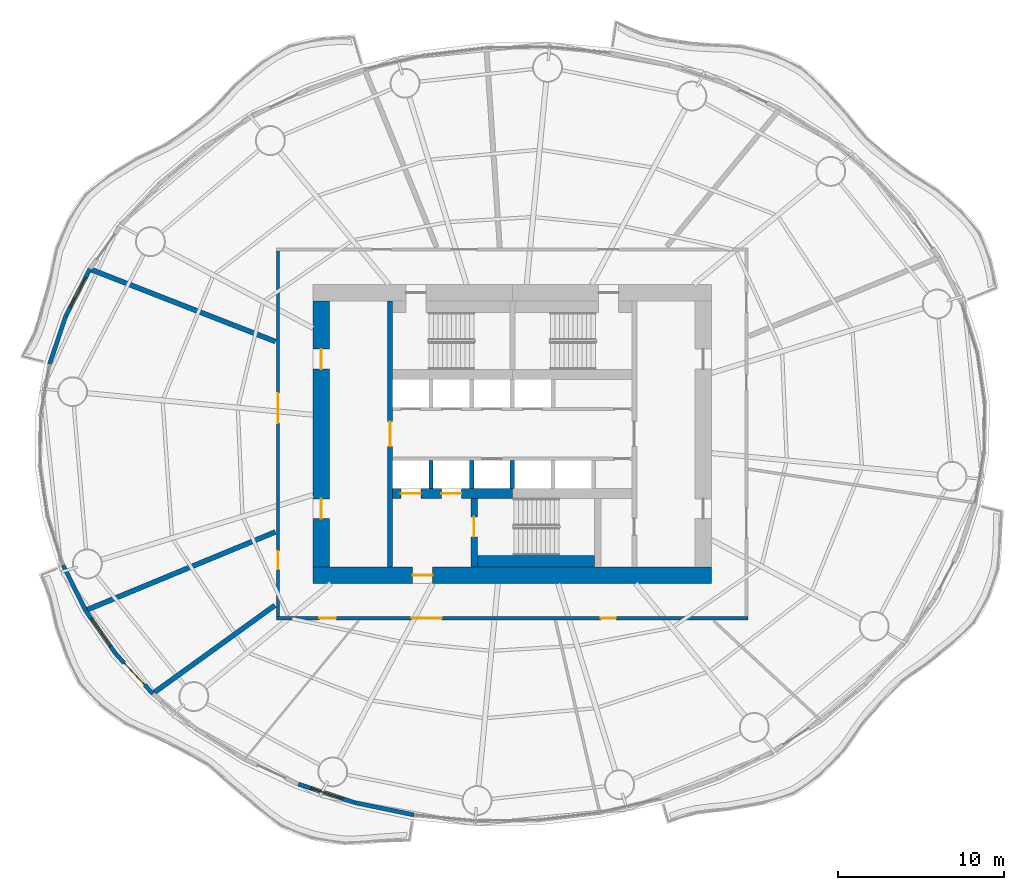
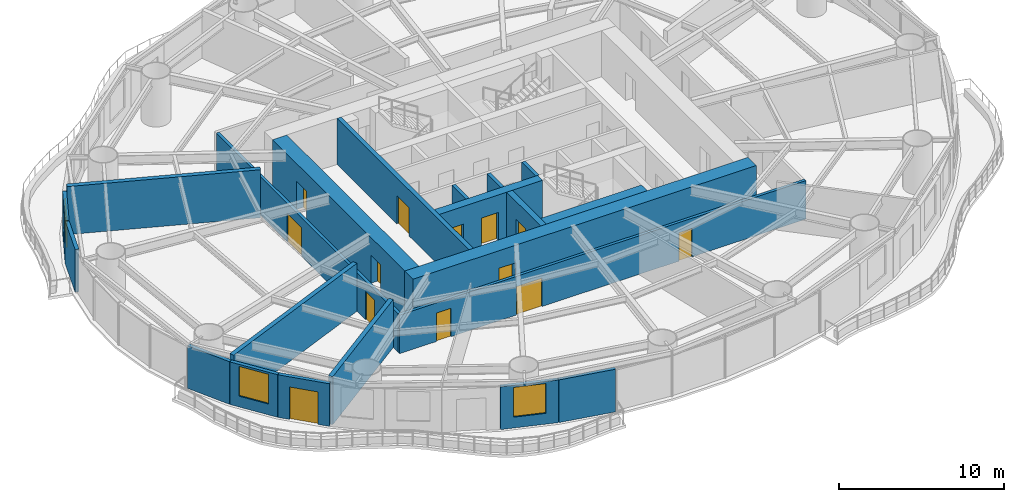
# One storey, part 8 of 16: 21 walls, 13 doors, 3 windows, 16 openings.
"""IFC4 building model written with IfcOpenShell, lengths in metres."""

from ifc_helpers import new_model, si_unit, direction, frame, frame_2d, origin, place, context, subcontext, project, spatial, rectangle, extrude, material, layer, layer_set, type_object, element, fill, save


model = new_model("IFC4")

# Units and contexts
model_context = context("Model", 3, precision=1e-05, world=origin(), true_north=direction((0.0, 1.0)))
body_context = subcontext(model_context, "Body", "Model", "MODEL_VIEW")
ifc_project = project(units=[si_unit("LENGTHUNIT", "METRE"), si_unit("AREAUNIT", "SQUARE_METRE"), si_unit("VOLUMEUNIT", "CUBIC_METRE"), si_unit("PLANEANGLEUNIT", "RADIAN"), si_unit("MASSUNIT", "GRAM", prefix="KILO")], contexts=[model_context])

# Site, building, storey
site_placement = place(None, origin())
site = spatial("IfcSite", under=ifc_project, at=site_placement, CompositionType="ELEMENT")
building_placement = place(site_placement, origin())
building = spatial("IfcBuilding", under=site, at=building_placement, Name="Vermilion Reach Broadcast Tower", CompositionType="ELEMENT")
storey_placement = place(building_placement, frame((0.0, 0.0, 50.800048828125)))
storey = spatial("IfcBuildingStorey", under=building, at=storey_placement, Name="L09", CompositionType="ELEMENT", Elevation=50.800048828125)

# Wall, opening, door
ifc_material_1 = material(Name="Concrete C70", Category="concrete")
ifc_layer_1 = layer(ifc_material_1, 0.300048828125)
ifc_layer_set_1 = layer_set([ifc_layer_1], Name="Core inner wall 300 mm Concrete C70")
wall_type_1 = type_object("IfcWallType", Name="Core inner wall 300 mm Concrete C70", PredefinedType="SHEAR", material=ifc_layer_set_1)
wall_1_placement = place(storey_placement, frame((-13.35009765625, 8.0, 0.0), z_axis=(0.0, 0.0, 1.0), x_axis=(0.0, -1.0, 0.0)))
wall_1 = element("IfcWall", 1, at=wall_1_placement, inside=storey, type_object=wall_type_1, Name="L09 core wall ewW", PredefinedType="SHEAR", context=body_context, shape_type="SweptSolid", body=[
    extrude(rectangle(XDim=16.0, YDim=0.300048828125, at=frame_2d((8.0, 0.0))), origin(), (0.0, 0.0, 1.0), 3.39990234375),
])
opening_1_placement = place(wall_1_placement, frame((7.25, 0.0, 0.0)))
opening_1 = element("IfcOpeningElement", 2, at=opening_1_placement, cuts=wall_1, Name="Opening D04", PredefinedType="OPENING", context=body_context, shape_type="SweptSolid", body=[
    extrude(rectangle(XDim=1.5, YDim=2.10009765625, at=frame_2d((0.75, 1.050048828125))), frame((0.0, 0.159912109375, 0.0), z_axis=(0.0, -1.0, 0.0), x_axis=(1.0, 0.0, 0.0)), (0.0, 0.0, 1.0), 0.320068359375),
])
ifc_material_2 = material(Name="Painted steel fire door", Category="steel")
door_type_1 = type_object("IfcDoorType", Name="Lift lobby door 1500 x 2100", OperationType="DOUBLE_DOOR_SINGLE_SWING", PredefinedType="NOTDEFINED", material=ifc_material_2)
door_1_placement = place(opening_1_placement, origin())
door_1 = element("IfcDoor", 3, at=door_1_placement, inside=storey, type_object=door_type_1, Name="L09 band door BW", OperationType="DOUBLE_DOOR_SINGLE_SWING", OverallHeight=2.10009765625, OverallWidth=1.5, PredefinedType="NOTDEFINED", context=body_context, shape_type="SweptSolid", body=[
    extrude(rectangle(XDim=1.5, YDim=2.10009765625, at=frame_2d((0.75, 1.050048828125))), frame((0.0, 0.02490234375, 0.0), z_axis=(0.0, -1.0, 0.0), x_axis=(1.0, 0.0, 0.0)), (0.0, 0.0, 1.0), 0.050048828125),
])
fill(opening_1, door_1)

ifc_material_3 = material(Name="Concrete C70", Category="concrete")
ifc_layer_2 = layer(ifc_material_3, 0.39990234375)
ifc_layer_set_2 = layer_set([ifc_layer_2], Name="Core inner wall 400 mm Concrete C70")
wall_type_2 = type_object("IfcWallType", Name="Core inner wall 400 mm Concrete C70", PredefinedType="SHEAR", material=ifc_layer_set_2)
wall_2_placement = place(storey_placement, frame((-8.300048828125, -3.8798828125, 0.0), z_axis=(0.0, 0.0, 1.0), x_axis=(0.0, -1.0, 0.0)))
wall_2 = element("IfcWall", 4, at=wall_2_placement, inside=storey, type_object=wall_type_2, Name="L09 core wall wa", PredefinedType="SHEAR", context=body_context, shape_type="SweptSolid", body=[
    extrude(rectangle(XDim=4.1201171875, YDim=0.39990234375, at=frame_2d((2.06005859375, 0.0))), origin(), (0.0, 0.0, 1.0), 3.39990234375),
])
opening_2_placement = place(wall_2_placement, frame((1.110107421875, 0.0, 0.0)))
opening_2 = element("IfcOpeningElement", 5, at=opening_2_placement, cuts=wall_2, Name="Opening D01", PredefinedType="OPENING", context=body_context, shape_type="SweptSolid", body=[
    extrude(rectangle(XDim=1.199951171875, YDim=2.10009765625, at=frame_2d((0.60009765625, 1.050048828125))), frame((0.0, 0.2099609375, 0.0), z_axis=(0.0, -1.0, 0.0), x_axis=(1.0, 0.0, 0.0)), (0.0, 0.0, 1.0), 0.419921875),
])
ifc_material_4 = material(Name="Painted steel fire door", Category="steel")
door_type_2 = type_object("IfcDoorType", Name="Stair door 1200 x 2100", OperationType="DOUBLE_DOOR_SINGLE_SWING", PredefinedType="NOTDEFINED", material=ifc_material_4)
door_2_placement = place(opening_2_placement, origin())
door_2 = element("IfcDoor", 6, at=door_2_placement, inside=storey, type_object=door_type_2, Name="L09 stair door ST3", OperationType="DOUBLE_DOOR_SINGLE_SWING", OverallHeight=2.10009765625, OverallWidth=1.199951171875, PredefinedType="NOTDEFINED", context=body_context, shape_type="SweptSolid", body=[
    extrude(rectangle(XDim=1.199951171875, YDim=2.10009765625, at=frame_2d((0.60009765625, 1.050048828125))), frame((0.0, 0.02490234375, 0.0), z_axis=(0.0, -1.0, 0.0), x_axis=(1.0, 0.0, 0.0)), (0.0, 0.0, 1.0), 0.050048828125),
])
fill(opening_2, door_2)

# Wall, openings, doors
ifc_material_5 = material(Name="Concrete C70", Category="concrete")
ifc_layer_3 = layer(ifc_material_5, 0.60009765625)
ifc_layer_set_3 = layer_set([ifc_layer_3], Name="Core inner wall 600 mm Concrete C70")
wall_type_3 = type_object("IfcWallType", Name="Core inner wall 600 mm Concrete C70", PredefinedType="SHEAR", material=ifc_layer_set_3)
wall_3_placement = place(storey_placement, frame((-13.199951171875, -3.580078125, 0.0), z_axis=(0.0, 0.0, 1.0), x_axis=(1.0, 0.0, 0.0)))
wall_3 = element("IfcWall", 7, at=wall_3_placement, inside=storey, type_object=wall_type_3, Name="L09 core wall wisW", PredefinedType="SHEAR", context=body_context, shape_type="SweptSolid", body=[
    extrude(rectangle(XDim=7.199951171875, YDim=0.60009765625, at=frame_2d((3.60009765625, 0.0))), origin(), (0.0, 0.0, 1.0), 3.39990234375),
])
opening_3_placement = place(wall_3_placement, frame((0.495849609375, 0.0, 0.0)))
opening_3 = element("IfcOpeningElement", 8, at=opening_3_placement, cuts=wall_3, Name="Opening LD1", PredefinedType="OPENING", context=body_context, shape_type="SweptSolid", body=[
    extrude(rectangle(XDim=1.199951171875, YDim=2.10009765625, at=frame_2d((0.60009765625, 1.050048828125))), frame((0.0, 0.31005859375, 0.0), z_axis=(0.0, -1.0, 0.0), x_axis=(1.0, 0.0, 0.0)), (0.0, 0.0, 1.0), 0.6201171875),
])
opening_4_placement = place(wall_3_placement, frame((2.9375, 0.0, 0.0)))
opening_4 = element("IfcOpeningElement", 9, at=opening_4_placement, cuts=wall_3, Name="Opening LD1", PredefinedType="OPENING", context=body_context, shape_type="SweptSolid", body=[
    extrude(rectangle(XDim=1.199951171875, YDim=2.10009765625, at=frame_2d((0.60009765625, 1.050048828125))), frame((0.0, 0.31005859375, 0.0), z_axis=(0.0, -1.0, 0.0), x_axis=(1.0, 0.0, 0.0)), (0.0, 0.0, 1.0), 0.6201171875),
])
ifc_material_6 = material(Name="Stainless steel", Category="steel")
door_type_3 = type_object("IfcDoorType", Name="Landing door 1200 x 2100", OperationType="DOUBLE_DOOR_SLIDING", PredefinedType="NOTDEFINED", material=ifc_material_6)
door_3_placement = place(opening_3_placement, origin())
door_3 = element("IfcDoor", 10, at=door_3_placement, inside=storey, type_object=door_type_3, Name="L09 landing door FF1", OperationType="DOUBLE_DOOR_SLIDING", OverallHeight=2.10009765625, OverallWidth=1.199951171875, PredefinedType="NOTDEFINED", context=body_context, shape_type="SweptSolid", body=[
    extrude(rectangle(XDim=1.199951171875, YDim=2.10009765625, at=frame_2d((0.60009765625, 1.050048828125))), frame((0.0, 0.02490234375, 0.0), z_axis=(0.0, -1.0, 0.0), x_axis=(1.0, 0.0, 0.0)), (0.0, 0.0, 1.0), 0.050048828125),
])
fill(opening_3, door_3)
door_4_placement = place(opening_4_placement, origin())
door_4 = element("IfcDoor", 11, at=door_4_placement, inside=storey, type_object=door_type_3, Name="L09 landing door FF2", OperationType="DOUBLE_DOOR_SLIDING", OverallHeight=2.10009765625, OverallWidth=1.199951171875, PredefinedType="NOTDEFINED", context=body_context, shape_type="SweptSolid", body=[
    extrude(rectangle(XDim=1.199951171875, YDim=2.10009765625, at=frame_2d((0.60009765625, 1.050048828125))), frame((0.0, 0.02490234375, 0.0), z_axis=(0.0, -1.0, 0.0), x_axis=(1.0, 0.0, 0.0)), (0.0, 0.0, 1.0), 0.050048828125),
])
fill(opening_4, door_4)

# Wall, opening, door
ifc_material_7 = material(Name="Concrete C70", Category="concrete")
ifc_layer_4 = layer(ifc_material_7, 1.0)
ifc_layer_set_4 = layer_set([ifc_layer_4], Name="Core outer wall 1000 mm Concrete C70")
wall_type_4 = type_object("IfcWallType", Name="Core outer wall 1000 mm Concrete C70", PredefinedType="SHEAR", material=ifc_layer_set_4)
wall_4_placement = place(storey_placement, frame((-18.0, -8.5, 0.0), z_axis=(0.0, 0.0, 1.0), x_axis=(1.0, 0.0, 0.0)))
wall_4 = element("IfcWall", 12, at=wall_4_placement, inside=storey, type_object=wall_type_4, Name="L09 core wall os", PredefinedType="SHEAR", context=body_context, shape_type="SweptSolid", body=[
    extrude(rectangle(XDim=24.0, YDim=1.0, at=frame_2d((12.0, 0.0))), origin(), (0.0, 0.0, 1.0), 3.39990234375),
])
opening_5_placement = place(wall_4_placement, frame((6.0, 0.0, 0.0)))
opening_5 = element("IfcOpeningElement", 13, at=opening_5_placement, cuts=wall_4, Name="Opening D02", PredefinedType="OPENING", context=body_context, shape_type="SweptSolid", body=[
    extrude(rectangle(XDim=1.199951171875, YDim=2.10009765625, at=frame_2d((0.60009765625, 1.050048828125))), frame((0.0, 0.510009765625, 0.0), z_axis=(0.0, -1.0, 0.0), x_axis=(1.0, 0.0, 0.0)), (0.0, 0.0, 1.0), 1.02001953125),
])
ifc_material_8 = material(Name="Painted steel fire door", Category="steel")
door_type_4 = type_object("IfcDoorType", Name="Firefighting lobby door 1200 x 2100", OperationType="DOUBLE_DOOR_SINGLE_SWING", PredefinedType="NOTDEFINED", material=ifc_material_8)
door_5_placement = place(opening_5_placement, origin())
door_5 = element("IfcDoor", 14, at=door_5_placement, inside=storey, type_object=door_type_4, Name="L09 ffdoor door FFL", OperationType="DOUBLE_DOOR_SINGLE_SWING", OverallHeight=2.10009765625, OverallWidth=1.199951171875, PredefinedType="NOTDEFINED", context=body_context, shape_type="SweptSolid", body=[
    extrude(rectangle(XDim=1.199951171875, YDim=2.10009765625, at=frame_2d((0.60009765625, 1.050048828125))), frame((0.0, 0.02490234375, 0.0), z_axis=(0.0, -1.0, 0.0), x_axis=(1.0, 0.0, 0.0)), (0.0, 0.0, 1.0), 0.050048828125),
])
fill(opening_5, door_5)

# Wall, openings, doors
wall_5_placement = place(storey_placement, frame((-17.5, 8.0, 0.0), z_axis=(0.0, 0.0, 1.0), x_axis=(0.0, -1.0, 0.0)))
wall_5 = element("IfcWall", 15, at=wall_5_placement, inside=storey, type_object=wall_type_4, Name="L09 core wall ow", PredefinedType="SHEAR", context=body_context, shape_type="SweptSolid", body=[
    extrude(rectangle(XDim=16.0, YDim=1.0, at=frame_2d((8.0, 0.0))), origin(), (0.0, 0.0, 1.0), 3.39990234375),
])
opening_6_placement = place(wall_5_placement, frame((11.89990234375, 0.0, 0.0)))
opening_6 = element("IfcOpeningElement", 16, at=opening_6_placement, cuts=wall_5, Name="Opening D03", PredefinedType="OPENING", context=body_context, shape_type="SweptSolid", body=[
    extrude(rectangle(XDim=1.199951171875, YDim=2.10009765625, at=frame_2d((0.60009765625, 1.050048828125))), frame((0.0, 0.510009765625, 0.0), z_axis=(0.0, -1.0, 0.0), x_axis=(1.0, 0.0, 0.0)), (0.0, 0.0, 1.0), 1.02001953125),
])
opening_7_placement = place(wall_5_placement, frame((2.89990234375, 0.0, 0.0)))
opening_7 = element("IfcOpeningElement", 17, at=opening_7_placement, cuts=wall_5, Name="Opening D03", PredefinedType="OPENING", context=body_context, shape_type="SweptSolid", body=[
    extrude(rectangle(XDim=1.199951171875, YDim=2.10009765625, at=frame_2d((0.60009765625, 1.050048828125))), frame((0.0, 0.510009765625, 0.0), z_axis=(0.0, -1.0, 0.0), x_axis=(1.0, 0.0, 0.0)), (0.0, 0.0, 1.0), 1.02001953125),
])
ifc_material_9 = material(Name="Painted steel fire door", Category="steel")
door_type_5 = type_object("IfcDoorType", Name="Core lobby door 1200 x 2100", OperationType="DOUBLE_DOOR_SINGLE_SWING", PredefinedType="NOTDEFINED", material=ifc_material_9)
door_6_placement = place(opening_6_placement, origin())
door_6 = element("IfcDoor", 18, at=door_6_placement, inside=storey, type_object=door_type_5, Name="L09 slot door W0", OperationType="DOUBLE_DOOR_SINGLE_SWING", OverallHeight=2.10009765625, OverallWidth=1.199951171875, PredefinedType="NOTDEFINED", context=body_context, shape_type="SweptSolid", body=[
    extrude(rectangle(XDim=1.199951171875, YDim=2.10009765625, at=frame_2d((0.60009765625, 1.050048828125))), frame((0.0, 0.02490234375, 0.0), z_axis=(0.0, -1.0, 0.0), x_axis=(1.0, 0.0, 0.0)), (0.0, 0.0, 1.0), 0.050048828125),
])
fill(opening_6, door_6)
door_7_placement = place(opening_7_placement, origin())
door_7 = element("IfcDoor", 19, at=door_7_placement, inside=storey, type_object=door_type_5, Name="L09 slot door W1", OperationType="DOUBLE_DOOR_SINGLE_SWING", OverallHeight=2.10009765625, OverallWidth=1.199951171875, PredefinedType="NOTDEFINED", context=body_context, shape_type="SweptSolid", body=[
    extrude(rectangle(XDim=1.199951171875, YDim=2.10009765625, at=frame_2d((0.60009765625, 1.050048828125))), frame((0.0, 0.02490234375, 0.0), z_axis=(0.0, -1.0, 0.0), x_axis=(1.0, 0.0, 0.0)), (0.0, 0.0, 1.0), 0.050048828125),
])
fill(opening_7, door_7)

# Walls
ifc_material_10 = material(Name="Concrete C50", Category="concrete")
ifc_layer_5 = layer(ifc_material_10, 0.25)
ifc_layer_set_5 = layer_set([ifc_layer_5], Name="Core shaft wall 250 mm Concrete C50")
wall_type_5 = type_object("IfcWallType", Name="Core shaft wall 250 mm Concrete C50", PredefinedType="SHEAR", material=ifc_layer_set_5)
for number, where, z_axis, x_axis, name in (
    (20, (-10.88330078125, -1.60009765625, 0.0), (0.0, 0.0, 1.0), (0.0, -1.0, 0.0), "L09 core wall psS0"),
    (21, (-8.441650390625, -1.60009765625, 0.0), (0.0, 0.0, 1.0), (0.0, -1.0, 0.0), "L09 core wall psS1"),
    (22, (-6.0, -1.60009765625, 0.0), (0.0, 0.0, 1.0), (0.0, -1.0, 0.0), "L09 core wall psS2"),
):
    element("IfcWall", number, at=place(storey_placement, frame(where, z_axis=z_axis, x_axis=x_axis)), inside=storey, type_object=wall_type_5, Name=name, PredefinedType="SHEAR", context=body_context, shape_type="SweptSolid", body=[
        extrude(rectangle(XDim=1.679931640625, YDim=0.25, at=frame_2d((0.83984375, 0.0))), origin(), (0.0, 0.0, 1.0), 3.39990234375),
    ])
ifc_material_11 = material(Name="Concrete C70", Category="concrete")
ifc_layer_6 = layer(ifc_material_11, 0.699951171875)
ifc_layer_set_6 = layer_set([ifc_layer_6], Name="Core stair wall 700 mm Concrete C70")
wall_type_6 = type_object("IfcWallType", Name="Core stair wall 700 mm Concrete C70", PredefinedType="SHEAR", material=ifc_layer_set_6)
wall_6_placement = place(storey_placement, frame((-8.10009765625, -7.64990234375, 0.0), z_axis=(0.0, 0.0, 1.0), x_axis=(1.0, 0.0, 0.0)))
element("IfcWall", 23, at=wall_6_placement, inside=storey, type_object=wall_type_6, Name="L09 core wall l3", PredefinedType="SHEAR", context=body_context, shape_type="SweptSolid", body=[
    extrude(rectangle(XDim=7.050048828125, YDim=0.699951171875, at=frame_2d((3.52490234375, 0.0))), origin(), (0.0, 0.0, 1.0), 3.39990234375),
])
ifc_material_12 = material(Name="Double-leaf plasterboard on isolated steel stud", Category="steel")
ifc_layer_7 = layer(ifc_material_12, 0.300048828125)
ifc_layer_set_7 = layer_set([ifc_layer_7], Name="Partition 300 acoustic double leaf")
wall_type_7 = type_object("IfcWallType", Name="Partition 300 acoustic double leaf", PredefinedType="PARTITIONING", material=ifc_layer_set_7)
wall_7_placement = place(storey_placement, frame((-31.304443359375, 9.87890625, 0.0), z_axis=(0.0, 0.0, 1.0), x_axis=(0.931524907104, -0.363677532225, 0.0)))
element("IfcWall", 24, at=wall_7_placement, inside=storey, type_object=wall_type_7, Name="Partition 9.05", PredefinedType="PARTITIONING", context=body_context, shape_type="SweptSolid", body=[
    extrude(rectangle(XDim=11.862060546875, YDim=0.300048828125, at=frame_2d((5.93115234375, 0.0))), origin(), (0.0, 0.0, 1.0), 3.550048828125),
])
wall_8_placement = place(storey_placement, frame((-31.5693359375, -10.57275390625, 0.0), z_axis=(0.0, 0.0, 1.0), x_axis=(0.924113266053, 0.382118661551, 0.0)))
element("IfcWall", 25, at=wall_8_placement, inside=storey, type_object=wall_type_7, Name="Partition 9.06", PredefinedType="PARTITIONING", context=body_context, shape_type="SweptSolid", body=[
    extrude(rectangle(XDim=12.240966796875, YDim=0.300048828125, at=frame_2d((6.12060546875, 0.0))), origin(), (0.0, 0.0, 1.0), 3.550048828125),
])
wall_9_placement = place(storey_placement, frame((-27.5380859375, -15.549072265625, 0.0), z_axis=(0.0, 0.0, 1.0), x_axis=(0.810780725644, 0.585349993528, 0.0)))
element("IfcWall", 26, at=wall_9_placement, inside=storey, type_object=wall_type_7, Name="Partition 9.07", PredefinedType="PARTITIONING", context=body_context, shape_type="SweptSolid", body=[
    extrude(rectangle(XDim=8.9423828125, YDim=0.300048828125, at=frame_2d((4.47119140625, 0.0))), origin(), (0.0, 0.0, 1.0), 3.550048828125),
])

# Wall, opening, window
ifc_material_13 = material(Name="Terracotta rainscreen cladding", Category="masonry")
ifc_layer_8 = layer(ifc_material_13, 0.25)
ifc_layer_set_8 = layer_set([ifc_layer_8], Name="Terracotta rainscreen wall 250")
wall_type_8 = type_object("IfcWallType", Name="Terracotta rainscreen wall 250", PredefinedType="SOLIDWALL", material=ifc_layer_set_8)
wall_10_placement = place(storey_placement, frame((-31.417236328125, 9.932373046875, 0.0), z_axis=(0.0, 0.0, 1.0), x_axis=(-0.457105364661, -0.889412550844, 0.0)))
wall_10 = element("IfcWall", 27, at=wall_10_placement, inside=storey, type_object=wall_type_8, Name="External wall L09 20", PredefinedType="SOLIDWALL", context=body_context, shape_type="SweptSolid", body=[
    extrude(rectangle(XDim=3.16015625, YDim=0.25, at=frame_2d((1.580078125, 0.0))), origin(), (0.0, 0.0, 1.0), 3.14990234375),
])
opening_8_placement = place(wall_10_placement, frame((0.580322265625, 0.0, 0.800048828125)))
opening_8 = element("IfcOpeningElement", 28, at=opening_8_placement, cuts=wall_10, Name="Opening W01", PredefinedType="OPENING", context=body_context, shape_type="SweptSolid", body=[
    extrude(rectangle(XDim=2.0, YDim=2.199951171875, at=frame_2d((1.0, 1.10009765625))), frame((0.0, 0.135009765625, 0.0), z_axis=(0.0, -1.0, 0.0), x_axis=(1.0, 0.0, 0.0)), (0.0, 0.0, 1.0), 0.27001953125),
])
ifc_material_14 = material(Name="Low-e laminated clear glass in aluminium frame", Category="aluminium")
window_type = type_object("IfcWindowType", Name="Punched window 2000 x 2200 sill 800", PartitioningType="SINGLE_PANEL", PredefinedType="WINDOW", material=ifc_material_14)
window_1_placement = place(opening_8_placement, origin())
window_1 = element("IfcWindow", 29, at=window_1_placement, inside=storey, type_object=window_type, Name="Window L09 20", OverallHeight=2.199951171875, OverallWidth=2.0, PartitioningType="SINGLE_PANEL", PredefinedType="WINDOW", context=body_context, shape_type="SweptSolid", body=[
    extrude(rectangle(XDim=2.0, YDim=2.199951171875, at=frame_2d((1.0, 1.10009765625))), frame((0.0, 0.030029296875, 0.0), z_axis=(0.0, -1.0, 0.0), x_axis=(1.0, 0.0, 0.0)), (0.0, 0.0, 1.0), 0.06005859375),
])
fill(opening_8, window_1)

# Walls
wall_11_placement = place(storey_placement, frame((-32.872314453125, 7.09716796875, 0.0), z_axis=(0.0, 0.0, 1.0), x_axis=(-0.319948454673, -0.947434950987, 0.0)))
element("IfcWall", 30, at=wall_11_placement, inside=storey, type_object=wall_type_8, Name="External wall L09 21", PredefinedType="SOLIDWALL", context=body_context, shape_type="SweptSolid", body=[
    extrude(rectangle(XDim=3.04931640625, YDim=0.25, at=frame_2d((1.524658203125, 0.0))), origin(), (0.0, 0.0, 1.0), 3.14990234375),
])
wall_12_placement = place(storey_placement, frame((-33.03564453125, -7.89208984375, 0.0), z_axis=(0.0, 0.0, 1.0), x_axis=(0.443751201737, -0.896150027036, 0.0)))
element("IfcWall", 31, at=wall_12_placement, inside=storey, type_object=wall_type_8, Name="External wall L09 26", PredefinedType="SOLIDWALL", context=body_context, shape_type="SweptSolid", body=[
    extrude(rectangle(XDim=3.049072265625, YDim=0.25, at=frame_2d((1.5244140625, 0.0))), origin(), (0.0, 0.0, 1.0), 3.14990234375),
])

# Wall, opening, window
wall_13_placement = place(storey_placement, frame((-31.669189453125, -10.6474609375, 0.0), z_axis=(0.0, 0.0, 1.0), x_axis=(0.571854103807, -0.820355340056, 0.0)))
wall_13 = element("IfcWall", 32, at=wall_13_placement, inside=storey, type_object=wall_type_8, Name="External wall L09 27", PredefinedType="SOLIDWALL", context=body_context, shape_type="SweptSolid", body=[
    extrude(rectangle(XDim=3.16064453125, YDim=0.25, at=frame_2d((1.580322265625, 0.0))), origin(), (0.0, 0.0, 1.0), 3.14990234375),
])
opening_9_placement = place(wall_13_placement, frame((0.580322265625, 0.0, 0.800048828125)))
opening_9 = element("IfcOpeningElement", 33, at=opening_9_placement, cuts=wall_13, Name="Opening W01", PredefinedType="OPENING", context=body_context, shape_type="SweptSolid", body=[
    extrude(rectangle(XDim=2.0, YDim=2.199951171875, at=frame_2d((1.0, 1.10009765625))), frame((0.0, 0.135009765625, 0.0), z_axis=(0.0, -1.0, 0.0), x_axis=(1.0, 0.0, 0.0)), (0.0, 0.0, 1.0), 0.27001953125),
])
window_2_placement = place(opening_9_placement, origin())
window_2 = element("IfcWindow", 34, at=window_2_placement, inside=storey, type_object=window_type, Name="Window L09 27", OverallHeight=2.199951171875, OverallWidth=2.0, PartitioningType="SINGLE_PANEL", PredefinedType="WINDOW", context=body_context, shape_type="SweptSolid", body=[
    extrude(rectangle(XDim=2.0, YDim=2.199951171875, at=frame_2d((1.0, 1.10009765625))), frame((0.0, 0.030029296875, 0.0), z_axis=(0.0, -1.0, 0.0), x_axis=(1.0, 0.0, 0.0)), (0.0, 0.0, 1.0), 0.06005859375),
])
fill(opening_9, window_2)

# Wall, opening, door
wall_14_placement = place(storey_placement, frame((-29.845703125, -13.26025390625, 0.0), z_axis=(0.0, 0.0, 1.0), x_axis=(0.682457674527, -0.730925114139, 0.0)))
wall_14 = element("IfcWall", 35, at=wall_14_placement, inside=storey, type_object=wall_type_8, Name="External wall L09 28", PredefinedType="SOLIDWALL", context=body_context, shape_type="SweptSolid", body=[
    extrude(rectangle(XDim=3.243896484375, YDim=0.25, at=frame_2d((1.6220703125, 0.0))), origin(), (0.0, 0.0, 1.0), 3.14990234375),
])
opening_10_placement = place(wall_14_placement, frame((0.721923828125, 0.0, 0.0)))
opening_10 = element("IfcOpeningElement", 36, at=opening_10_placement, cuts=wall_14, Name="Opening D70", PredefinedType="OPENING", context=body_context, shape_type="SweptSolid", body=[
    extrude(rectangle(XDim=1.800048828125, YDim=2.39990234375, at=frame_2d((0.89990234375, 1.199951171875))), frame((0.0, 0.135009765625, 0.0), z_axis=(0.0, -1.0, 0.0), x_axis=(1.0, 0.0, 0.0)), (0.0, 0.0, 1.0), 0.27001953125),
])
ifc_material_15 = material(Name="Low-e laminated clear glass in aluminium frame", Category="aluminium")
door_type_6 = type_object("IfcDoorType", Name="Balcony sliding door 1800 x 2400", OperationType="DOUBLE_DOOR_SLIDING", PredefinedType="DOOR", material=ifc_material_15)
door_8_placement = place(opening_10_placement, origin())
door_8 = element("IfcDoor", 37, at=door_8_placement, inside=storey, type_object=door_type_6, Name="Balcony door L09 run 07", OperationType="DOUBLE_DOOR_SLIDING", OverallHeight=2.39990234375, OverallWidth=1.800048828125, PredefinedType="DOOR", context=body_context, shape_type="SweptSolid", body=[
    extrude(rectangle(XDim=1.800048828125, YDim=2.39990234375, at=frame_2d((0.89990234375, 1.199951171875))), frame((0.0, 0.02490234375, 0.0), z_axis=(0.0, -1.0, 0.0), x_axis=(1.0, 0.0, 0.0)), (0.0, 0.0, 1.0), 0.050048828125),
])
fill(opening_10, door_8)

# Wall, opening, window
wall_15_placement = place(storey_placement, frame((-18.874267578125, -21.07421875, 0.0), z_axis=(0.0, 0.0, 1.0), x_axis=(0.950176997657, -0.311710880662, 0.0)))
wall_15 = element("IfcWall", 38, at=wall_15_placement, inside=storey, type_object=wall_type_8, Name="External wall L09 32", PredefinedType="SOLIDWALL", context=body_context, shape_type="SweptSolid", body=[
    extrude(rectangle(XDim=3.58642578125, YDim=0.25, at=frame_2d((1.793212890625, 0.0))), origin(), (0.0, 0.0, 1.0), 3.14990234375),
])
opening_11_placement = place(wall_15_placement, frame((0.793212890625, 0.0, 0.800048828125)))
opening_11 = element("IfcOpeningElement", 39, at=opening_11_placement, cuts=wall_15, Name="Opening W01", PredefinedType="OPENING", context=body_context, shape_type="SweptSolid", body=[
    extrude(rectangle(XDim=2.0, YDim=2.199951171875, at=frame_2d((1.0, 1.10009765625))), frame((0.0, 0.135009765625, 0.0), z_axis=(0.0, -1.0, 0.0), x_axis=(1.0, 0.0, 0.0)), (0.0, 0.0, 1.0), 0.27001953125),
])
window_3_placement = place(opening_11_placement, origin())
window_3 = element("IfcWindow", 40, at=window_3_placement, inside=storey, type_object=window_type, Name="Window L09 32", OverallHeight=2.199951171875, OverallWidth=2.0, PartitioningType="SINGLE_PANEL", PredefinedType="WINDOW", context=body_context, shape_type="SweptSolid", body=[
    extrude(rectangle(XDim=2.0, YDim=2.199951171875, at=frame_2d((1.0, 1.10009765625))), frame((0.0, 0.030029296875, 0.0), z_axis=(0.0, -1.0, 0.0), x_axis=(1.0, 0.0, 0.0)), (0.0, 0.0, 1.0), 0.06005859375),
])
fill(opening_11, window_3)

# Wall
wall_16_placement = place(storey_placement, frame((-15.4453125, -22.19775390625, 0.0), z_axis=(0.0, 0.0, 1.0), x_axis=(0.979196383513, -0.202914865188, 0.0)))
element("IfcWall", 41, at=wall_16_placement, inside=storey, type_object=wall_type_8, Name="External wall L09 33", PredefinedType="SOLIDWALL", context=body_context, shape_type="SweptSolid", body=[
    extrude(rectangle(XDim=3.602294921875, YDim=0.25, at=frame_2d((1.80126953125, 0.0))), origin(), (0.0, 0.0, 1.0), 3.14990234375),
])

# Wall, openings, doors
ifc_material_16 = material(Name="Fire-rated gypsum board partition")
ifc_layer_9 = layer(ifc_material_16, 0.199951171875)
ifc_layer_set_9 = layer_set([ifc_layer_9], Name="Under girder: Corridor wall 200 fire-rated")
wall_type_9 = type_object("IfcWallType", Name="Under girder: Corridor wall 200 fire-rated", PredefinedType="PARTITIONING", material=ifc_layer_set_9)
wall_17_placement = place(storey_placement, frame((8.199951171875, -11.10009765625, 0.0), z_axis=(0.0, 0.0, 1.0), x_axis=(-1.0, 0.0, 0.0)))
wall_17 = element("IfcWall", 42, at=wall_17_placement, inside=storey, type_object=wall_type_9, Name="Corridor wall 9.S", PredefinedType="PARTITIONING", context=body_context, shape_type="SweptSolid", body=[
    extrude(rectangle(XDim=28.39990234375, YDim=0.199951171875, at=frame_2d((14.199951171875, 0.0))), origin(), (0.0, 0.0, 1.0), 2.849853515625),
])
opening_12_placement = place(wall_17_placement, frame((24.814208984375, 0.0, 0.0)))
opening_12 = element("IfcOpeningElement", 43, at=opening_12_placement, cuts=wall_17, Name="Opening D20", PredefinedType="OPENING", context=body_context, shape_type="SweptSolid", body=[
    extrude(rectangle(XDim=1.0, YDim=2.10009765625, at=frame_2d((0.5, 1.050048828125))), frame((0.0, 0.10986328125, 0.0), z_axis=(0.0, -1.0, 0.0), x_axis=(1.0, 0.0, 0.0)), (0.0, 0.0, 1.0), 0.219970703125),
])
opening_13_placement = place(wall_17_placement, frame((18.447021484375, 0.0, 0.0)))
opening_13 = element("IfcOpeningElement", 44, at=opening_13_placement, cuts=wall_17, Name="Opening D21", PredefinedType="OPENING", context=body_context, shape_type="SweptSolid", body=[
    extrude(rectangle(XDim=1.800048828125, YDim=2.10009765625, at=frame_2d((0.89990234375, 1.050048828125))), frame((0.0, 0.10986328125, 0.0), z_axis=(0.0, -1.0, 0.0), x_axis=(1.0, 0.0, 0.0)), (0.0, 0.0, 1.0), 0.219970703125),
])
opening_14_placement = place(wall_17_placement, frame((7.9658203125, 0.0, 0.0)))
opening_14 = element("IfcOpeningElement", 45, at=opening_14_placement, cuts=wall_17, Name="Opening D22", PredefinedType="OPENING", context=body_context, shape_type="SweptSolid", body=[
    extrude(rectangle(XDim=0.89990234375, YDim=2.10009765625, at=frame_2d((0.449951171875, 1.050048828125))), frame((0.0, 0.10986328125, 0.0), z_axis=(0.0, -1.0, 0.0), x_axis=(1.0, 0.0, 0.0)), (0.0, 0.0, 1.0), 0.219970703125),
])
ifc_material_17 = material(Name="Timber door leaf", Category="wood")
door_type_7 = type_object("IfcDoorType", Name="Door pair 1800x2100", OperationType="NOTDEFINED", PredefinedType="DOOR", material=ifc_material_17)
door_9_placement = place(opening_13_placement, origin())
door_9 = element("IfcDoor", 46, at=door_9_placement, inside=storey, type_object=door_type_7, Name="Door 9.08", OperationType="DOUBLE_DOOR_SINGLE_SWING", OverallHeight=2.10009765625, OverallWidth=1.800048828125, PredefinedType="DOOR", context=body_context, shape_type="SweptSolid", body=[
    extrude(rectangle(XDim=1.800048828125, YDim=2.10009765625, at=frame_2d((0.89990234375, 1.050048828125))), frame((0.0, 0.02490234375, 0.0), z_axis=(0.0, -1.0, 0.0), x_axis=(1.0, 0.0, 0.0)), (0.0, 0.0, 1.0), 0.050048828125),
])
fill(opening_13, door_9)
ifc_material_18 = material(Name="Timber door leaf", Category="wood")
door_type_8 = type_object("IfcDoorType", Name="Door single 1000x2100", OperationType="NOTDEFINED", PredefinedType="DOOR", material=ifc_material_18)
door_10_placement = place(opening_12_placement, origin())
door_10 = element("IfcDoor", 47, at=door_10_placement, inside=storey, type_object=door_type_8, Name="Door 9.07", OperationType="SINGLE_SWING_LEFT", OverallHeight=2.10009765625, OverallWidth=1.0, PredefinedType="DOOR", context=body_context, shape_type="SweptSolid", body=[
    extrude(rectangle(XDim=1.0, YDim=2.10009765625, at=frame_2d((0.5, 1.050048828125))), frame((0.0, 0.02490234375, 0.0), z_axis=(0.0, -1.0, 0.0), x_axis=(1.0, 0.0, 0.0)), (0.0, 0.0, 1.0), 0.050048828125),
])
fill(opening_12, door_10)
ifc_material_19 = material(Name="Timber door leaf", Category="wood")
door_type_9 = type_object("IfcDoorType", Name="Door single 900x2100", OperationType="NOTDEFINED", PredefinedType="DOOR", material=ifc_material_19)
door_11_placement = place(opening_14_placement, origin())
door_11 = element("IfcDoor", 48, at=door_11_placement, inside=storey, type_object=door_type_9, Name="Door 9.09", OperationType="SINGLE_SWING_RIGHT", OverallHeight=2.10009765625, OverallWidth=0.89990234375, PredefinedType="DOOR", context=body_context, shape_type="SweptSolid", body=[
    extrude(rectangle(XDim=0.89990234375, YDim=2.10009765625, at=frame_2d((0.449951171875, 1.050048828125))), frame((0.0, 0.02490234375, 0.0), z_axis=(0.0, -1.0, 0.0), x_axis=(1.0, 0.0, 0.0)), (0.0, 0.0, 1.0), 0.050048828125),
])
fill(opening_14, door_11)

wall_18_placement = place(storey_placement, frame((-20.10009765625, -11.0, 0.0), z_axis=(0.0, 0.0, 1.0), x_axis=(0.0, 1.0, 0.0)))
wall_18 = element("IfcWall", 49, at=wall_18_placement, inside=storey, type_object=wall_type_9, Name="Corridor wall 9.W", PredefinedType="PARTITIONING", context=body_context, shape_type="SweptSolid", body=[
    extrude(rectangle(XDim=22.0, YDim=0.199951171875, at=frame_2d((11.0, 0.0))), origin(), (0.0, 0.0, 1.0), 2.849853515625),
])
opening_15_placement = place(wall_18_placement, frame((11.6591796875, 0.0, 0.0)))
opening_15 = element("IfcOpeningElement", 50, at=opening_15_placement, cuts=wall_18, Name="Opening D21", PredefinedType="OPENING", context=body_context, shape_type="SweptSolid", body=[
    extrude(rectangle(XDim=1.800048828125, YDim=2.10009765625, at=frame_2d((0.89990234375, 1.050048828125))), frame((0.0, 0.10986328125, 0.0), z_axis=(0.0, -1.0, 0.0), x_axis=(1.0, 0.0, 0.0)), (0.0, 0.0, 1.0), 0.219970703125),
])
opening_16_placement = place(wall_18_placement, frame((2.844482421875, 0.0, 0.0)))
opening_16 = element("IfcOpeningElement", 51, at=opening_16_placement, cuts=wall_18, Name="Opening D28", PredefinedType="OPENING", context=body_context, shape_type="SweptSolid", body=[
    extrude(rectangle(XDim=1.10009765625, YDim=2.10009765625, at=frame_2d((0.550048828125, 1.050048828125))), frame((0.0, 0.10986328125, 0.0), z_axis=(0.0, -1.0, 0.0), x_axis=(1.0, 0.0, 0.0)), (0.0, 0.0, 1.0), 0.219970703125),
])
door_12_placement = place(opening_15_placement, origin())
door_12 = element("IfcDoor", 52, at=door_12_placement, inside=storey, type_object=door_type_7, Name="Door 9.05", OperationType="DOUBLE_DOOR_SINGLE_SWING", OverallHeight=2.10009765625, OverallWidth=1.800048828125, PredefinedType="DOOR", context=body_context, shape_type="SweptSolid", body=[
    extrude(rectangle(XDim=1.800048828125, YDim=2.10009765625, at=frame_2d((0.89990234375, 1.050048828125))), frame((0.0, 0.02490234375, 0.0), z_axis=(0.0, -1.0, 0.0), x_axis=(1.0, 0.0, 0.0)), (0.0, 0.0, 1.0), 0.050048828125),
])
fill(opening_15, door_12)
ifc_material_20 = material(Name="Acoustic sound-lock door leaf")
door_type_10 = type_object("IfcDoorType", Name="Door single 1100x2100", OperationType="NOTDEFINED", PredefinedType="DOOR", material=ifc_material_20)
door_13_placement = place(opening_16_placement, origin())
door_13 = element("IfcDoor", 53, at=door_13_placement, inside=storey, type_object=door_type_10, Name="Door 9.06", OperationType="SINGLE_SWING_RIGHT", OverallHeight=2.10009765625, OverallWidth=1.10009765625, PredefinedType="DOOR", context=body_context, shape_type="SweptSolid", body=[
    extrude(rectangle(XDim=1.10009765625, YDim=2.10009765625, at=frame_2d((0.550048828125, 1.050048828125))), frame((0.0, 0.02490234375, 0.0), z_axis=(0.0, -1.0, 0.0), x_axis=(1.0, 0.0, 0.0)), (0.0, 0.0, 1.0), 0.050048828125),
])
fill(opening_16, door_13)

save(model, "model.ifc")
